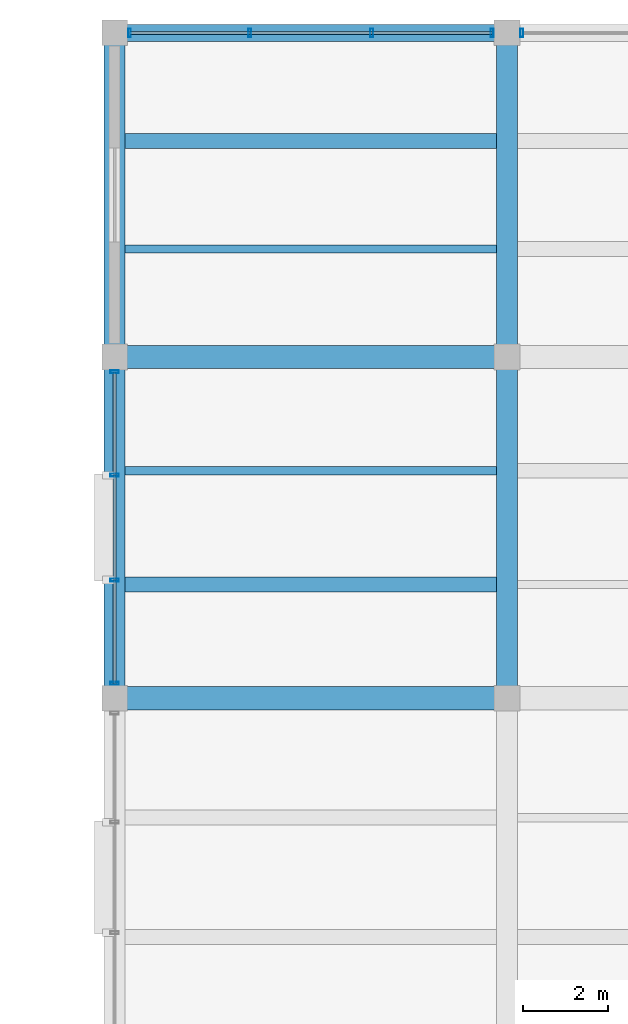
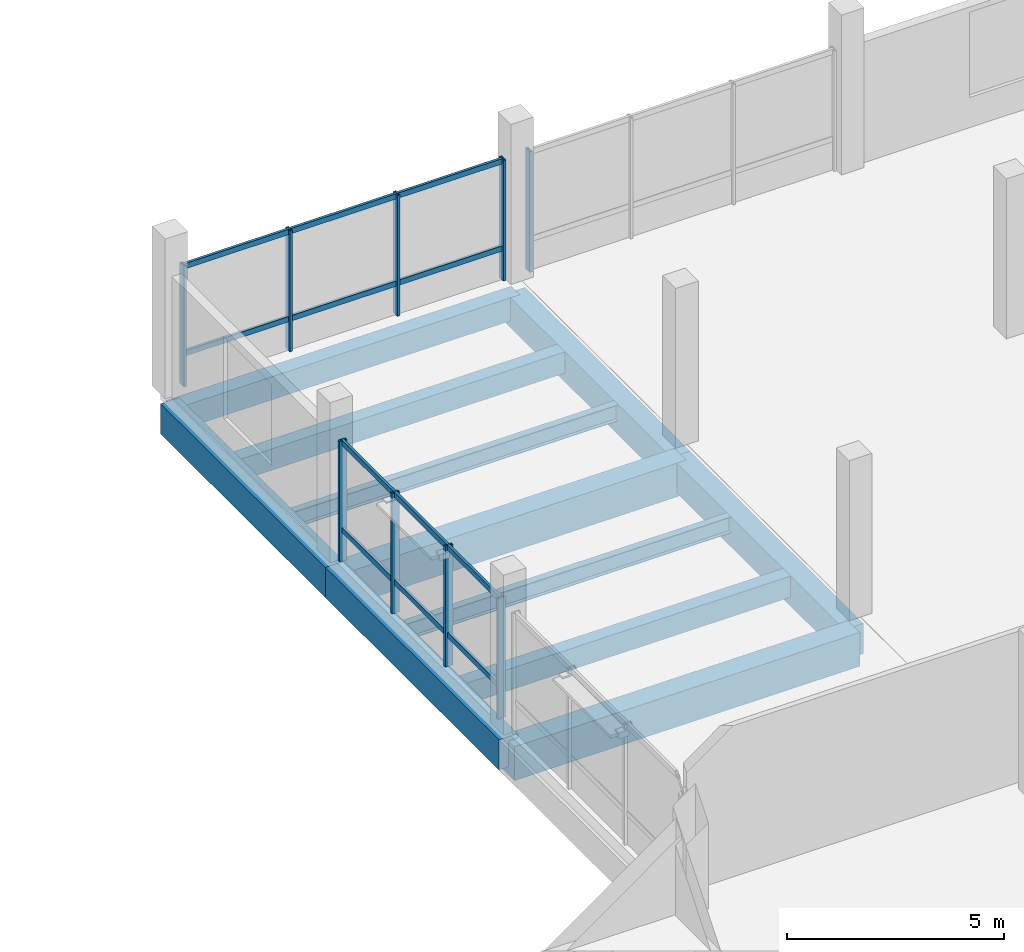
# One storey, part 45 of 77: 21 members, 11 beams, 3 elements without a shape of their own.
"""IFC4 building model written with IfcOpenShell, lengths in metres."""

from ifc_helpers import new_model, si_unit, direction, frame, origin, origin_2d, place, context, subcontext, project, spatial, rectangle, hollow_rectangle, i_section, extrude, material, layer, layer_set, material_profile, profile_set, type_object, element, aggregate, save


model = new_model("IFC4")

# Units and contexts
model_context = context("Model", 3, precision=1e-05, world=origin(), true_north=direction((0.0, 1.0)))
body_context = subcontext(model_context, "Body", "Model", "MODEL_VIEW")
ifc_project = project(units=[si_unit("LENGTHUNIT", "METRE"), si_unit("AREAUNIT", "SQUARE_METRE"), si_unit("VOLUMEUNIT", "CUBIC_METRE"), si_unit("PLANEANGLEUNIT", "RADIAN"), si_unit("MASSUNIT", "GRAM", prefix="KILO")], contexts=[model_context])

# Site, building, storey
site_placement = place(None, origin())
site = spatial("IfcSite", under=ifc_project, at=site_placement, CompositionType="ELEMENT")
building_placement = place(site_placement, origin())
building = spatial("IfcBuilding", under=site, at=building_placement, Name="Meriwether Solvik Hall", CompositionType="ELEMENT")
storey_placement = place(building_placement, frame((0.0, 0.0, 9.89990234375)))
storey = spatial("IfcBuildingStorey", under=building, at=storey_placement, Name="L02", CompositionType="ELEMENT", Elevation=9.89990234375)

# Beams
ifc_material_1 = material(Name="Concrete C40/50", Category="concrete")
ifc_material_profile_1 = material_profile(ifc_material_1, rectangle(XDim=0.35009765625, YDim=0.60009765625, at=origin_2d()), Name="RCB-350X600")
ifc_profile_set_1 = profile_set([ifc_material_profile_1], Name="Concrete C40/50")
beam_type_1 = type_object("IfcBeamType", Name="BM-RC-350X600", PredefinedType="JOIST", material=ifc_profile_set_1)
for number, where, z_axis, x_axis, name in (
    (1, (105.2451171875, 103.86669921875, -0.75), (1.0, 0.0, 0.0), (0.0, 1.0, 0.0), "Secondary Floor Joist 12/L_J1 (L02)"),
    (2, (105.2451171875, 114.2666015625, -0.75), (1.0, 0.0, 0.0), (0.0, 1.0, 0.0), "Secondary Floor Joist 12/M_J2 (L02)"),
):
    element("IfcBeam", number, at=place(storey_placement, frame(where, z_axis=z_axis, x_axis=x_axis)), inside=storey, type_object=beam_type_1, Name=name, PredefinedType="JOIST", context=body_context, shape_type="SweptSolid", body=[
        extrude(rectangle(XDim=0.35009765625, YDim=0.60009765625, at=origin_2d()), origin(), (0.0, 0.0, 1.0), 8.7099609375),
    ])
ifc_material_2 = material(Name="Concrete C40/50", Category="concrete")
ifc_material_profile_2 = material_profile(ifc_material_2, rectangle(XDim=0.39990234375, YDim=0.64990234375, at=origin_2d()), Name="RCB-400X650")
ifc_profile_set_2 = profile_set([ifc_material_profile_2], Name="Concrete C40/50")
beam_type_2 = type_object("IfcBeamType", Name="BM-RC-400X650", PredefinedType="SPANDREL", material=ifc_profile_set_2)
beam_1_placement = place(storey_placement, frame((105.0, 116.800048828125, -0.77490234375), z_axis=(1.0, 0.0, 0.0), x_axis=(0.0, 1.0, 0.0)))
element("IfcBeam", 3, at=beam_1_placement, inside=storey, type_object=beam_type_2, Name="Podium Girder N:12-13 (L02)", PredefinedType="SPANDREL", context=body_context, shape_type="SweptSolid", body=[
    extrude(rectangle(XDim=0.39990234375, YDim=0.64990234375, at=origin_2d()), origin(), (0.0, 0.0, 1.0), 9.199951171875),
])
ifc_material_3 = material(Name="Concrete C40/50", Category="concrete")
ifc_material_profile_3 = material_profile(ifc_material_3, rectangle(XDim=0.5, YDim=0.85009765625, at=origin_2d()), Name="RCB-500X850")
ifc_profile_set_3 = profile_set([ifc_material_profile_3], Name="Concrete C40/50")
beam_type_3 = type_object("IfcBeamType", Name="BM-RC-500X850", PredefinedType="BEAM", material=ifc_profile_set_3)
beam_2_placement = place(storey_placement, frame((105.0, 101.199951171875, -0.7548828125), z_axis=(0.0, 1.0, 0.0), x_axis=(-1.0, 0.0, 0.0)))
element("IfcBeam", 4, at=beam_2_placement, inside=storey, type_object=beam_type_3, Name="Podium Girder 12:L-M (L02)", PredefinedType="BEAM", context=body_context, shape_type="SweptSolid", body=[
    extrude(rectangle(XDim=0.5, YDim=0.85009765625, at=origin_2d()), origin(), (0.0, 0.0, 1.0), 8.0),
])
beam_3_placement = place(storey_placement, frame((105.0, 109.199951171875, -0.7548828125), z_axis=(0.0, 1.0, 0.0), x_axis=(-1.0, 0.0, 0.0)))
element("IfcBeam", 5, at=beam_3_placement, inside=storey, type_object=beam_type_3, Name="Podium Girder 12:M-N (L02)", PredefinedType="BEAM", context=body_context, shape_type="SweptSolid", body=[
    extrude(rectangle(XDim=0.5, YDim=0.85009765625, at=origin_2d()), origin(), (0.0, 0.0, 1.0), 7.60009765625),
])
beam_4_placement = place(storey_placement, frame((114.199951171875, 101.199951171875, -0.875), z_axis=(0.0, 1.0, 0.0), x_axis=(-1.0, 0.0, 0.0)))
element("IfcBeam", 6, at=beam_4_placement, inside=storey, type_object=beam_type_3, Name="Podium Girder 13:L-M (L02)", PredefinedType="BEAM", context=body_context, shape_type="SweptSolid", body=[
    extrude(rectangle(XDim=0.5, YDim=0.85009765625, at=origin_2d()), origin(), (0.0, 0.0, 1.0), 8.0),
])
beam_5_placement = place(storey_placement, frame((114.199951171875, 109.199951171875, -0.875), z_axis=(0.0, 1.0, 0.0), x_axis=(-1.0, 0.0, 0.0)))
element("IfcBeam", 7, at=beam_5_placement, inside=storey, type_object=beam_type_3, Name="Podium Girder 13:M-N (L02)", PredefinedType="BEAM", context=body_context, shape_type="SweptSolid", body=[
    extrude(rectangle(XDim=0.5, YDim=0.85009765625, at=origin_2d()), origin(), (0.0, 0.0, 1.0), 7.60009765625),
])
ifc_material_4 = material(Name="Concrete C40/50", Category="concrete")
ifc_material_profile_4 = material_profile(ifc_material_4, rectangle(XDim=0.550048828125, YDim=0.949951171875, at=origin_2d()), Name="RCB-550X950")
ifc_profile_set_4 = profile_set([ifc_material_profile_4], Name="Concrete C40/50")
beam_type_4 = type_object("IfcBeamType", Name="BM-RC-550X950", PredefinedType="BEAM", material=ifc_profile_set_4)
for number, where, z_axis, x_axis, name in (
    (8, (105.0, 101.199951171875, -0.9248046875), (1.0, 0.0, 0.0), (0.0, 1.0, 0.0), "Podium Girder L:12-13 (L02)"),
    (9, (105.0, 109.199951171875, -0.9248046875), (1.0, 0.0, 0.0), (0.0, 1.0, 0.0), "Podium Girder M:12-13 (L02)"),
):
    element("IfcBeam", number, at=place(storey_placement, frame(where, z_axis=z_axis, x_axis=x_axis)), inside=storey, type_object=beam_type_4, Name=name, PredefinedType="BEAM", context=body_context, shape_type="SweptSolid", body=[
        extrude(rectangle(XDim=0.550048828125, YDim=0.949951171875, at=origin_2d()), origin(), (0.0, 0.0, 1.0), 9.199951171875),
    ])
ifc_material_5 = material(Name="Steel A992 Grade 50", Category="steel")
ifc_material_profile_5 = material_profile(ifc_material_5, i_section(OverallWidth=0.19091796875, OverallDepth=0.45703125, WebThickness=0.009033203125, FlangeThickness=0.014404296875, at=origin_2d()), Name="W18X50")
ifc_profile_set_5 = profile_set([ifc_material_profile_5], Name="Steel A992 Grade 50")
beam_type_5 = type_object("IfcBeamType", Name="BM-STL-W18X50", PredefinedType="JOIST", material=ifc_profile_set_5)
for number, where, z_axis, x_axis, name in (
    (10, (105.2451171875, 106.533203125, -0.678466796875), (1.0, 0.0, 0.0), (0.0, 1.0, 0.0), "Secondary Floor Joist 12/L_J2 (L02)"),
    (11, (105.2451171875, 111.7333984375, -0.678466796875), (1.0, 0.0, 0.0), (0.0, 1.0, 0.0), "Secondary Floor Joist 12/M_J1 (L02)"),
):
    element("IfcBeam", number, at=place(storey_placement, frame(where, z_axis=z_axis, x_axis=x_axis)), inside=storey, type_object=beam_type_5, Name=name, PredefinedType="JOIST", context=body_context, shape_type="SweptSolid", body=[
        extrude(i_section(OverallWidth=0.19091796875, OverallDepth=0.45703125, WebThickness=0.009033203125, FlangeThickness=0.014404296875, at=origin_2d()), origin(), (0.0, 0.0, 1.0), 8.7099609375),
    ])

# Curtain wall, members
ifc_material_6 = material(Name="Thermally Broken Anodised Aluminium 6063-T6 and Low-E Glass", Category="aluminium")
ifc_layer = layer(ifc_material_6, 0.179931640625)
ifc_layer_set = layer_set([ifc_layer], Name="Thermally Broken Anodised Aluminium 6063-T6 and Low-E Glass")
curtain_wall_type = type_object("IfcCurtainWallType", Name="CW-SF-POD-C", PredefinedType="USERDEFINED", material=ifc_layer_set)
curtain_wall_1_placement = place(storey_placement, origin())
curtain_wall_1 = element("IfcCurtainWall", 12, at=curtain_wall_1_placement, inside=storey, type_object=curtain_wall_type, Name="Curtain Wall wing_XN_12_17 (L02)", ObjectType="STICK STOREFRONT GLAZING", PredefinedType="USERDEFINED")
ifc_material_7 = material(Name="Anodised Aluminium 6063-T6", Category="aluminium")
ifc_material_profile_6 = material_profile(ifc_material_7, hollow_rectangle(XDim=0.070068359375, YDim=0.199951171875, WallThickness=0.0048828125, at=origin_2d()), Name="CWM-70X200")
ifc_profile_set_6 = profile_set([ifc_material_profile_6], Name="Anodised Aluminium 6063-T6")
member_type_1 = type_object("IfcMemberType", Name="CW-MUL-70X200", PredefinedType="MULLION", material=ifc_profile_set_6)
member_1_placement = place(storey_placement, frame((105.35009765625, 116.800048828125, 0.0), z_axis=(0.0, 0.0, 1.0), x_axis=(1.0, 0.0, 0.0)))
member_1 = element("IfcMember", 13, at=member_1_placement, type_object=member_type_1, Name="Curtain Wall Mullion 1", PredefinedType="MULLION", context=body_context, shape_type="SweptSolid", body=[
    extrude(hollow_rectangle(XDim=0.070068359375, YDim=0.199951171875, WallThickness=0.0048828125, at=origin_2d()), origin(), (0.0, 0.0, 1.0), 3.39501953125),
])
member_2_placement = place(storey_placement, frame((108.170654296875, 116.800048828125, 0.0), z_axis=(0.0, 0.0, 1.0), x_axis=(1.0, 0.0, 0.0)))
member_2 = element("IfcMember", 14, at=member_2_placement, type_object=member_type_1, Name="Curtain Wall Mullion 2", PredefinedType="MULLION", context=body_context, shape_type="SweptSolid", body=[
    extrude(hollow_rectangle(XDim=0.070068359375, YDim=0.199951171875, WallThickness=0.0048828125, at=origin_2d()), origin(), (0.0, 0.0, 1.0), 3.39501953125),
])
member_3_placement = place(storey_placement, frame((111.029296875, 116.800048828125, 0.0), z_axis=(0.0, 0.0, 1.0), x_axis=(1.0, 0.0, 0.0)))
member_3 = element("IfcMember", 15, at=member_3_placement, type_object=member_type_1, Name="Curtain Wall Mullion 3", PredefinedType="MULLION", context=body_context, shape_type="SweptSolid", body=[
    extrude(hollow_rectangle(XDim=0.070068359375, YDim=0.199951171875, WallThickness=0.0048828125, at=origin_2d()), origin(), (0.0, 0.0, 1.0), 3.39501953125),
])
member_4_placement = place(storey_placement, frame((113.85009765625, 116.800048828125, 0.0), z_axis=(0.0, 0.0, 1.0), x_axis=(1.0, 0.0, 0.0)))
member_4 = element("IfcMember", 16, at=member_4_placement, type_object=member_type_1, Name="Curtain Wall Mullion 4", PredefinedType="MULLION", context=body_context, shape_type="SweptSolid", body=[
    extrude(hollow_rectangle(XDim=0.070068359375, YDim=0.199951171875, WallThickness=0.0048828125, at=origin_2d()), origin(), (0.0, 0.0, 1.0), 3.39501953125),
])

# Curtain wall, member
curtain_wall_2_placement = place(storey_placement, origin())
curtain_wall_2 = element("IfcCurtainWall", 17, at=curtain_wall_2_placement, inside=storey, type_object=curtain_wall_type, Name="Curtain Wall wing_XN_13_18 (L02)", ObjectType="STICK STOREFRONT GLAZING", PredefinedType="USERDEFINED")
member_5_placement = place(storey_placement, frame((114.550048828125, 116.800048828125, 0.0), z_axis=(0.0, 0.0, 1.0), x_axis=(1.0, 0.0, 0.0)))
member_5 = element("IfcMember", 18, at=member_5_placement, type_object=member_type_1, Name="Curtain Wall Mullion 1", PredefinedType="MULLION", context=body_context, shape_type="SweptSolid", body=[
    extrude(hollow_rectangle(XDim=0.070068359375, YDim=0.199951171875, WallThickness=0.0048828125, at=origin_2d()), origin(), (0.0, 0.0, 1.0), 3.39501953125),
])
aggregate(curtain_wall_2, [member_5])

# Curtain wall, members
curtain_wall_3_placement = place(storey_placement, origin())
curtain_wall_3 = element("IfcCurtainWall", 19, at=curtain_wall_3_placement, inside=storey, type_object=curtain_wall_type, Name="Curtain Wall wing_Y12_12_35 (L02)", ObjectType="STICK STOREFRONT GLAZING", PredefinedType="USERDEFINED")
member_6_placement = place(storey_placement, frame((105.0, 101.550048828125, 0.0), z_axis=(0.0, 0.0, 1.0), x_axis=(0.0, 1.0, 0.0)))
member_6 = element("IfcMember", 20, at=member_6_placement, type_object=member_type_1, Name="Curtain Wall Mullion 1", PredefinedType="MULLION", context=body_context, shape_type="SweptSolid", body=[
    extrude(hollow_rectangle(XDim=0.070068359375, YDim=0.199951171875, WallThickness=0.0048828125, at=origin_2d()), origin(), (0.0, 0.0, 1.0), 3.39501953125),
])
member_7_placement = place(storey_placement, frame((105.0, 103.970703125, 0.0), z_axis=(0.0, 0.0, 1.0), x_axis=(0.0, 1.0, 0.0)))
member_7 = element("IfcMember", 21, at=member_7_placement, type_object=member_type_1, Name="Curtain Wall Mullion 2", PredefinedType="MULLION", context=body_context, shape_type="SweptSolid", body=[
    extrude(hollow_rectangle(XDim=0.070068359375, YDim=0.199951171875, WallThickness=0.0048828125, at=origin_2d()), origin(), (0.0, 0.0, 1.0), 3.39501953125),
])
member_8_placement = place(storey_placement, frame((105.0, 106.429443359375, 0.0), z_axis=(0.0, 0.0, 1.0), x_axis=(0.0, 1.0, 0.0)))
member_8 = element("IfcMember", 22, at=member_8_placement, type_object=member_type_1, Name="Curtain Wall Mullion 3", PredefinedType="MULLION", context=body_context, shape_type="SweptSolid", body=[
    extrude(hollow_rectangle(XDim=0.070068359375, YDim=0.199951171875, WallThickness=0.0048828125, at=origin_2d()), origin(), (0.0, 0.0, 1.0), 3.39501953125),
])
member_9_placement = place(storey_placement, frame((105.0, 108.85009765625, 0.0), z_axis=(0.0, 0.0, 1.0), x_axis=(0.0, 1.0, 0.0)))
member_9 = element("IfcMember", 23, at=member_9_placement, type_object=member_type_1, Name="Curtain Wall Mullion 4", PredefinedType="MULLION", context=body_context, shape_type="SweptSolid", body=[
    extrude(hollow_rectangle(XDim=0.070068359375, YDim=0.199951171875, WallThickness=0.0048828125, at=origin_2d()), origin(), (0.0, 0.0, 1.0), 3.39501953125),
])

# Member
ifc_material_8 = material(Name="Anodised Aluminium 6063-T6", Category="aluminium")
ifc_material_profile_7 = material_profile(ifc_material_8, hollow_rectangle(XDim=0.070068359375, YDim=0.14990234375, WallThickness=0.0048828125, at=origin_2d()), Name="CWT-70X150")
ifc_profile_set_7 = profile_set([ifc_material_profile_7], Name="Anodised Aluminium 6063-T6")
member_type_2 = type_object("IfcMemberType", Name="CW-TRN-70X150", PredefinedType="USERDEFINED", material=ifc_profile_set_7)
member_10_placement = place(storey_placement, frame((105.35009765625, 116.800048828125, 0.880126953125), z_axis=(1.0, 0.0, 0.0), x_axis=(0.0, 1.0, 0.0)))
member_10 = element("IfcMember", 24, at=member_10_placement, type_object=member_type_2, Name="Curtain Wall Transom 1-sill", ObjectType="TRANSOM", PredefinedType="USERDEFINED", context=body_context, shape_type="SweptSolid", body=[
    extrude(hollow_rectangle(XDim=0.070068359375, YDim=0.14990234375, WallThickness=0.0048828125, at=origin_2d()), origin(), (0.0, 0.0, 1.0), 2.820556640625),
])

member_11_placement = place(storey_placement, frame((105.35009765625, 116.800048828125, 3.335205078125), z_axis=(1.0, 0.0, 0.0), x_axis=(0.0, 1.0, 0.0)))
member_11 = element("IfcMember", 25, at=member_11_placement, type_object=member_type_2, Name="Curtain Wall Transom 1-head", ObjectType="TRANSOM", PredefinedType="USERDEFINED", context=body_context, shape_type="SweptSolid", body=[
    extrude(hollow_rectangle(XDim=0.070068359375, YDim=0.14990234375, WallThickness=0.0048828125, at=origin_2d()), origin(), (0.0, 0.0, 1.0), 2.820556640625),
])

member_12_placement = place(storey_placement, frame((108.170654296875, 116.800048828125, 0.880126953125), z_axis=(1.0, 0.0, 0.0), x_axis=(0.0, 1.0, 0.0)))
member_12 = element("IfcMember", 26, at=member_12_placement, type_object=member_type_2, Name="Curtain Wall Transom 2-sill", ObjectType="TRANSOM", PredefinedType="USERDEFINED", context=body_context, shape_type="SweptSolid", body=[
    extrude(hollow_rectangle(XDim=0.070068359375, YDim=0.14990234375, WallThickness=0.0048828125, at=origin_2d()), origin(), (0.0, 0.0, 1.0), 2.858642578125),
])

member_13_placement = place(storey_placement, frame((108.170654296875, 116.800048828125, 3.335205078125), z_axis=(1.0, 0.0, 0.0), x_axis=(0.0, 1.0, 0.0)))
member_13 = element("IfcMember", 27, at=member_13_placement, type_object=member_type_2, Name="Curtain Wall Transom 2-head", ObjectType="TRANSOM", PredefinedType="USERDEFINED", context=body_context, shape_type="SweptSolid", body=[
    extrude(hollow_rectangle(XDim=0.070068359375, YDim=0.14990234375, WallThickness=0.0048828125, at=origin_2d()), origin(), (0.0, 0.0, 1.0), 2.858642578125),
])

member_14_placement = place(storey_placement, frame((111.029296875, 116.800048828125, 0.880126953125), z_axis=(1.0, 0.0, 0.0), x_axis=(0.0, 1.0, 0.0)))
member_14 = element("IfcMember", 28, at=member_14_placement, type_object=member_type_2, Name="Curtain Wall Transom 3-sill", ObjectType="TRANSOM", PredefinedType="USERDEFINED", context=body_context, shape_type="SweptSolid", body=[
    extrude(hollow_rectangle(XDim=0.070068359375, YDim=0.14990234375, WallThickness=0.0048828125, at=origin_2d()), origin(), (0.0, 0.0, 1.0), 2.82080078125),
])

member_15_placement = place(storey_placement, frame((111.029296875, 116.800048828125, 3.335205078125), z_axis=(1.0, 0.0, 0.0), x_axis=(0.0, 1.0, 0.0)))
member_15 = element("IfcMember", 29, at=member_15_placement, type_object=member_type_2, Name="Curtain Wall Transom 3-head", ObjectType="TRANSOM", PredefinedType="USERDEFINED", context=body_context, shape_type="SweptSolid", body=[
    extrude(hollow_rectangle(XDim=0.070068359375, YDim=0.14990234375, WallThickness=0.0048828125, at=origin_2d()), origin(), (0.0, 0.0, 1.0), 2.82080078125),
])

aggregate(curtain_wall_1, [member_1, member_2, member_3, member_4, member_10, member_11, member_12, member_13, member_14, member_15])

member_16_placement = place(storey_placement, frame((105.0, 101.550048828125, 0.880126953125), z_axis=(0.0, 1.0, 0.0), x_axis=(-1.0, 0.0, 0.0)))
member_16 = element("IfcMember", 30, at=member_16_placement, type_object=member_type_2, Name="Curtain Wall Transom 1-sill", ObjectType="TRANSOM", PredefinedType="USERDEFINED", context=body_context, shape_type="SweptSolid", body=[
    extrude(hollow_rectangle(XDim=0.070068359375, YDim=0.14990234375, WallThickness=0.0048828125, at=origin_2d()), origin(), (0.0, 0.0, 1.0), 2.420654296875),
])

member_17_placement = place(storey_placement, frame((105.0, 101.550048828125, 3.335205078125), z_axis=(0.0, 1.0, 0.0), x_axis=(-1.0, 0.0, 0.0)))
member_17 = element("IfcMember", 31, at=member_17_placement, type_object=member_type_2, Name="Curtain Wall Transom 1-head", ObjectType="TRANSOM", PredefinedType="USERDEFINED", context=body_context, shape_type="SweptSolid", body=[
    extrude(hollow_rectangle(XDim=0.070068359375, YDim=0.14990234375, WallThickness=0.0048828125, at=origin_2d()), origin(), (0.0, 0.0, 1.0), 2.420654296875),
])

member_18_placement = place(storey_placement, frame((105.0, 103.970703125, 0.880126953125), z_axis=(0.0, 1.0, 0.0), x_axis=(-1.0, 0.0, 0.0)))
member_18 = element("IfcMember", 32, at=member_18_placement, type_object=member_type_2, Name="Curtain Wall Transom 2-sill", ObjectType="TRANSOM", PredefinedType="USERDEFINED", context=body_context, shape_type="SweptSolid", body=[
    extrude(hollow_rectangle(XDim=0.070068359375, YDim=0.14990234375, WallThickness=0.0048828125, at=origin_2d()), origin(), (0.0, 0.0, 1.0), 2.458740234375),
])

member_19_placement = place(storey_placement, frame((105.0, 103.970703125, 3.335205078125), z_axis=(0.0, 1.0, 0.0), x_axis=(-1.0, 0.0, 0.0)))
member_19 = element("IfcMember", 33, at=member_19_placement, type_object=member_type_2, Name="Curtain Wall Transom 2-head", ObjectType="TRANSOM", PredefinedType="USERDEFINED", context=body_context, shape_type="SweptSolid", body=[
    extrude(hollow_rectangle(XDim=0.070068359375, YDim=0.14990234375, WallThickness=0.0048828125, at=origin_2d()), origin(), (0.0, 0.0, 1.0), 2.458740234375),
])

member_20_placement = place(storey_placement, frame((105.0, 106.429443359375, 0.880126953125), z_axis=(0.0, 1.0, 0.0), x_axis=(-1.0, 0.0, 0.0)))
member_20 = element("IfcMember", 34, at=member_20_placement, type_object=member_type_2, Name="Curtain Wall Transom 3-sill", ObjectType="TRANSOM", PredefinedType="USERDEFINED", context=body_context, shape_type="SweptSolid", body=[
    extrude(hollow_rectangle(XDim=0.070068359375, YDim=0.14990234375, WallThickness=0.0048828125, at=origin_2d()), origin(), (0.0, 0.0, 1.0), 2.420654296875),
])

member_21_placement = place(storey_placement, frame((105.0, 106.429443359375, 3.335205078125), z_axis=(0.0, 1.0, 0.0), x_axis=(-1.0, 0.0, 0.0)))
member_21 = element("IfcMember", 35, at=member_21_placement, type_object=member_type_2, Name="Curtain Wall Transom 3-head", ObjectType="TRANSOM", PredefinedType="USERDEFINED", context=body_context, shape_type="SweptSolid", body=[
    extrude(hollow_rectangle(XDim=0.070068359375, YDim=0.14990234375, WallThickness=0.0048828125, at=origin_2d()), origin(), (0.0, 0.0, 1.0), 2.420654296875),
])

aggregate(curtain_wall_3, [member_6, member_7, member_8, member_9, member_16, member_17, member_18, member_19, member_20, member_21])

save(model, "model.ifc")
